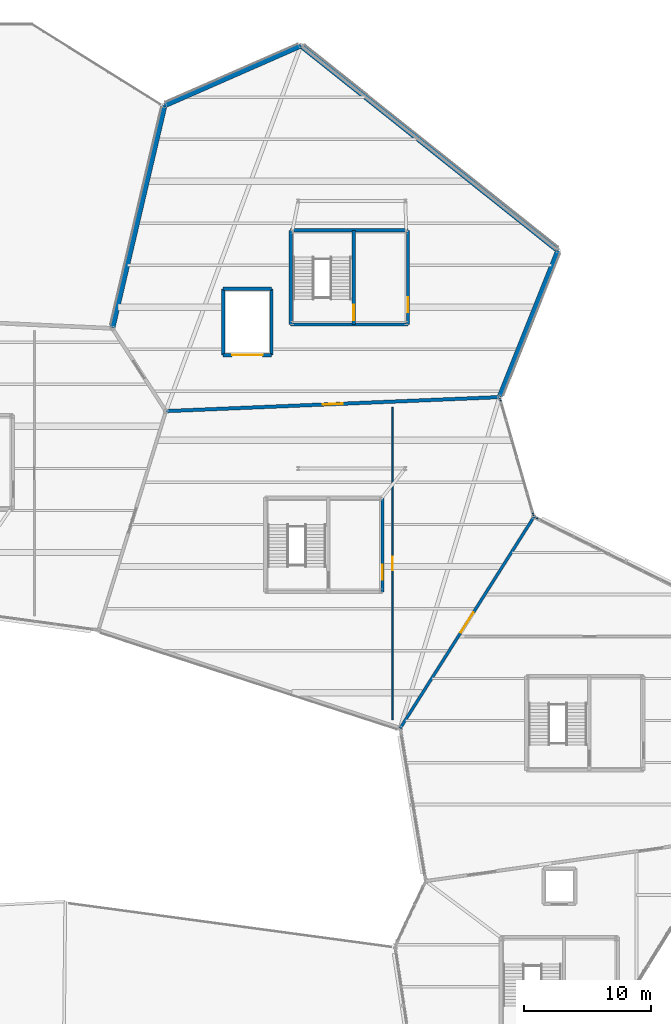
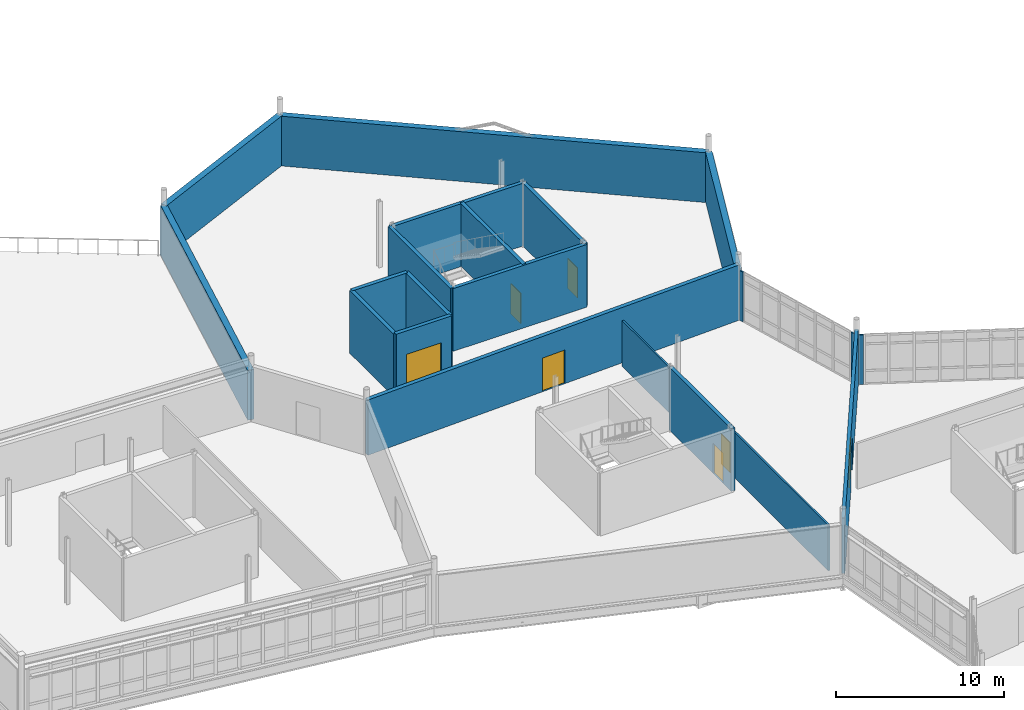
# One storey, part 94 of 114: 20 walls, 7 doors, 7 openings.
"""IFC4 building model written with IfcOpenShell, lengths in metres."""

from ifc_helpers import new_model, si_unit, direction, frame, frame_2d, origin, place, context, subcontext, project, spatial, rectangle, extrude, material, layer, layer_set, type_object, element, fill, save


model = new_model("IFC4")

# Units and contexts
model_context = context("Model", 3, precision=1e-05, world=origin(), true_north=direction((0.0, 1.0)))
body_context = subcontext(model_context, "Body", "Model", "MODEL_VIEW")
ifc_project = project(units=[si_unit("LENGTHUNIT", "METRE"), si_unit("AREAUNIT", "SQUARE_METRE"), si_unit("VOLUMEUNIT", "CUBIC_METRE"), si_unit("PLANEANGLEUNIT", "RADIAN"), si_unit("MASSUNIT", "GRAM", prefix="KILO")], contexts=[model_context])

# Site, building, storey
site_placement = place(None, origin())
site = spatial("IfcSite", under=ifc_project, at=site_placement, CompositionType="ELEMENT")
building_placement = place(site_placement, origin())
building = spatial("IfcBuilding", under=site, at=building_placement, Name="Tameran Prism Museum", CompositionType="ELEMENT")
storey_placement = place(building_placement, frame((0.0, 0.0, 10.199951171875)))
storey = spatial("IfcBuildingStorey", under=building, at=storey_placement, Name="L02", CompositionType="ELEMENT", Elevation=10.199951171875)

# Walls
ifc_material_1 = material(Name="Precast Concrete N50 (50 MPa)", Category="concrete")
ifc_layer_1 = layer(ifc_material_1, 0.39990234375)
ifc_layer_set_1 = layer_set([ifc_layer_1])
wall_type_1 = type_object("IfcWallType", Name="EW-ARC-400", PredefinedType="SOLIDWALL", material=ifc_layer_set_1)
wall_1_placement = place(storey_placement, frame((62.39990234375, 94.10009765625, 0.0), z_axis=(0.0, 0.0, 1.0), x_axis=(-0.371407751599, -0.928469860605, 0.0)))
element("IfcWall", 1, at=wall_1_placement, inside=storey, type_object=wall_type_1, Name="Exterior Fluted Precast Wall EW-0342", PredefinedType="SOLIDWALL", context=body_context, shape_type="SweptSolid", body=[
    extrude(rectangle(XDim=12.32568359375, YDim=0.39990234375, at=frame_2d((6.162841796875, 0.0))), origin(), (0.0, 0.0, 1.0), 3.6201171875),
])
wall_2_placement = place(storey_placement, frame((42.199951171875, 110.199951171875, 0.0), z_axis=(0.0, 0.0, 1.0), x_axis=(0.78200261515, -0.623275147827, 0.0)))
element("IfcWall", 2, at=wall_2_placement, inside=storey, type_object=wall_type_1, Name="Exterior Fluted Precast Wall EW-0343", PredefinedType="SOLIDWALL", context=body_context, shape_type="SweptSolid", body=[
    extrude(rectangle(XDim=25.8310546875, YDim=0.39990234375, at=frame_2d((12.91552734375, 0.0))), origin(), (0.0, 0.0, 1.0), 3.6201171875),
])
wall_3_placement = place(storey_placement, frame((31.5, 105.5, 0.0), z_axis=(0.0, 0.0, 1.0), x_axis=(0.915568057854, 0.40216306573, 0.0)))
element("IfcWall", 3, at=wall_3_placement, inside=storey, type_object=wall_type_1, Name="Exterior Fluted Precast Wall EW-0344", PredefinedType="SOLIDWALL", context=body_context, shape_type="SweptSolid", body=[
    extrude(rectangle(XDim=11.686767578125, YDim=0.39990234375, at=frame_2d((5.84326171875, 0.0))), origin(), (0.0, 0.0, 1.0), 3.6201171875),
])
wall_4_placement = place(storey_placement, frame((27.4140625, 88.05810546875, 0.0), z_axis=(0.0, 0.0, 1.0), x_axis=(0.228085145328, 0.973641189803, 0.0)))
element("IfcWall", 4, at=wall_4_placement, inside=storey, type_object=wall_type_1, Name="Exterior Fluted Precast Wall EW-0345", PredefinedType="SOLIDWALL", context=body_context, shape_type="SweptSolid", body=[
    extrude(rectangle(XDim=17.9140625, YDim=0.39990234375, at=frame_2d((8.95703125, 0.0))), origin(), (0.0, 0.0, 1.0), 3.6201171875),
])
ifc_material_2 = material(Name="Precast Concrete N40 (40 MPa)", Category="concrete")
ifc_layer_2 = layer(ifc_material_2, 0.094970703125)
ifc_layer_set_2 = layer_set([ifc_layer_2])
wall_type_2 = type_object("IfcWallType", Name="EW-CLOS-095", PredefinedType="SOLIDWALL", material=ifc_layer_set_2)
wall_5_placement = place(storey_placement, frame((60.592041015625, 73.154052734375, 0.0), z_axis=(0.0, 0.0, 1.0), x_axis=(0.895062210154, -0.445941296533, 0.0)))
element("IfcWall", 5, at=wall_5_placement, inside=storey, type_object=wall_type_2, Name="Facade Corner Closure EW-0312", PredefinedType="SOLIDWALL", context=body_context, shape_type="SweptSolid", body=[
    extrude(rectangle(XDim=0.30712890625, YDim=0.094970703125, at=frame_2d((0.153564453125, 0.0))), origin(), (0.0, 0.0, 1.0), 3.6201171875),
])
for number, where, z_axis, x_axis, name in (
    (6, (57.8291015625, 82.501953125, 0.0), (0.0, 0.0, 1.0), (0.275977786159, -0.961164013864, 0.0), "Facade Corner Closure EW-0339"),
    (7, (60.385986328125, 73.593994140625, 0.0), (0.0, 0.0, 1.0), (0.275977786159, -0.961164013864, 0.0), "Facade Corner Closure EW-0340"),
):
    element("IfcWall", number, at=place(storey_placement, frame(where, z_axis=z_axis, x_axis=x_axis)), inside=storey, type_object=wall_type_2, Name=name, PredefinedType="SOLIDWALL", context=body_context, shape_type="SweptSolid", body=[
        extrude(rectangle(XDim=0.307861328125, YDim=0.094970703125, at=frame_2d((0.15380859375, 0.0))), origin(), (0.0, 0.0, 1.0), 3.6201171875),
    ])

# Wall, opening, door
ifc_material_3 = material(Name="Concrete N40 (40 MPa)", Category="concrete")
ifc_layer_3 = layer(ifc_material_3, 0.22509765625)
ifc_layer_set_3 = layer_set([ifc_layer_3])
wall_type_3 = type_object("IfcWallType", Name="IW-CMP-225", PredefinedType="SOLIDWALL", material=ifc_layer_set_3)
wall_6_placement = place(storey_placement, frame((60.5, 73.199951171875, 0.0), z_axis=(0.0, 0.0, 1.0), x_axis=(-0.534570878454, -0.845123645338, 0.0)))
wall_6 = element("IfcWall", 8, at=wall_6_placement, inside=storey, type_object=wall_type_3, Name="Compartment Wall IW-0120", PredefinedType="SOLIDWALL", context=body_context, shape_type="SweptSolid", body=[
    extrude(rectangle(XDim=19.641845703125, YDim=0.22509765625, at=frame_2d((9.82080078125, 0.0))), origin(), (0.0, 0.0, 1.0), 4.02001953125),
])
opening_1_placement = place(wall_6_placement, frame((8.89599609375, 0.0, 0.0)))
opening_1 = element("IfcOpeningElement", 9, at=opening_1_placement, cuts=wall_6, Name="Opening ID-0119", PredefinedType="OPENING", context=body_context, shape_type="SweptSolid", body=[
    extrude(rectangle(XDim=1.85009765625, YDim=2.39990234375, at=frame_2d((0.925048828125, 1.199951171875))), frame((0.0, 0.12255859375, 0.0), z_axis=(0.0, -1.0, 0.0), x_axis=(1.0, 0.0, 0.0)), (0.0, 0.0, 1.0), 0.2451171875),
])
ifc_material_4 = material(Name="Fire-Rated Steel Door Leaf and Frame", Category="steel")
door_type_1 = type_object("IfcDoorType", Name="DR-GAL-185", OperationType="DOUBLE_DOOR_SINGLE_SWING", PredefinedType="DOOR", material=ifc_material_4)
door_1_placement = place(opening_1_placement, origin())
door_1 = element("IfcDoor", 10, at=door_1_placement, inside=storey, type_object=door_type_1, Name="Compartment Door ID-0119", OperationType="DOUBLE_DOOR_SINGLE_SWING", OverallHeight=2.39990234375, OverallWidth=1.85009765625, PredefinedType="DOOR", context=body_context, shape_type="SweptSolid", body=[
    extrude(rectangle(XDim=1.85009765625, YDim=2.39990234375, at=frame_2d((0.925048828125, 1.199951171875))), frame((0.0, 0.02490234375, 0.0), z_axis=(0.0, -1.0, 0.0), x_axis=(1.0, 0.0, 0.0)), (0.0, 0.0, 1.0), 0.050048828125),
])
fill(opening_1, door_1)

ifc_material_5 = material(Name="Concrete N40 (40 MPa)", Category="concrete")
ifc_layer_4 = layer(ifc_material_5, 0.27490234375)
ifc_layer_set_4 = layer_set([ifc_layer_4])
wall_type_4 = type_object("IfcWallType", Name="IW-CMP-275", PredefinedType="SOLIDWALL", material=ifc_layer_set_4)
wall_7_placement = place(storey_placement, frame((57.800048828125, 82.60009765625, 0.0), z_axis=(0.0, 0.0, 1.0), x_axis=(-0.999119645224, -0.041951573605, 0.0)))
wall_7 = element("IfcWall", 11, at=wall_7_placement, inside=storey, type_object=wall_type_4, Name="Compartment Wall IW-0124", PredefinedType="SOLIDWALL", context=body_context, shape_type="SweptSolid", body=[
    extrude(rectangle(XDim=26.22314453125, YDim=0.27490234375, at=frame_2d((13.111572265625, 0.0))), origin(), (0.0, 0.0, 1.0), 4.02001953125),
])
opening_2_placement = place(wall_7_placement, frame((12.31201171875, 0.0, 0.0)))
opening_2 = element("IfcOpeningElement", 12, at=opening_2_placement, cuts=wall_7, Name="Opening ID-0123", PredefinedType="OPENING", context=body_context, shape_type="SweptSolid", body=[
    extrude(rectangle(XDim=1.60009765625, YDim=2.449951171875, at=frame_2d((0.800048828125, 1.22509765625))), frame((0.0, 0.1474609375, 0.0), z_axis=(0.0, -1.0, 0.0), x_axis=(1.0, 0.0, 0.0)), (0.0, 0.0, 1.0), 0.294921875),
])
ifc_material_6 = material(Name="Fire-Rated Steel Door Leaf and Frame", Category="steel")
door_type_2 = type_object("IfcDoorType", Name="DR-FD-240", OperationType="DOUBLE_DOOR_SINGLE_SWING", PredefinedType="DOOR", material=ifc_material_6)
door_2_placement = place(opening_2_placement, origin())
door_2 = element("IfcDoor", 13, at=door_2_placement, inside=storey, type_object=door_type_2, Name="Compartment Door ID-0123", OperationType="DOUBLE_DOOR_SINGLE_SWING", OverallHeight=2.449951171875, OverallWidth=1.60009765625, PredefinedType="DOOR", context=body_context, shape_type="SweptSolid", body=[
    extrude(rectangle(XDim=1.60009765625, YDim=2.449951171875, at=frame_2d((0.800048828125, 1.22509765625))), frame((0.0, 0.02490234375, 0.0), z_axis=(0.0, -1.0, 0.0), x_axis=(1.0, 0.0, 0.0)), (0.0, 0.0, 1.0), 0.050048828125),
])
fill(opening_2, door_2)

ifc_material_7 = material(Name="Concrete N40 (40 MPa)", Category="concrete")
ifc_layer_5 = layer(ifc_material_7, 0.25)
ifc_layer_set_5 = layer_set([ifc_layer_5])
wall_type_5 = type_object("IfcWallType", Name="IW-COR-250", PredefinedType="SHEAR", material=ifc_layer_set_5)
wall_8_placement = place(storey_placement, frame((48.60009765625, 74.699951171875, 0.0), z_axis=(0.0, 0.0, 1.0), x_axis=(0.0, -1.0, 0.0)))
wall_8 = element("IfcWall", 14, at=wall_8_placement, inside=storey, type_object=wall_type_5, Name="Core Shear Wall CW-5-L02-E", PredefinedType="SHEAR", context=body_context, shape_type="SweptSolid", body=[
    extrude(rectangle(XDim=7.39990234375, YDim=0.25, at=frame_2d((3.699951171875, 0.0))), origin(), (0.0, 0.0, 1.0), 4.56005859375),
])
opening_3_placement = place(wall_8_placement, frame((5.25, 0.0, 0.0)))
opening_3 = element("IfcOpeningElement", 15, at=opening_3_placement, cuts=wall_8, Name="Opening FD-0249", PredefinedType="OPENING", context=body_context, shape_type="SweptSolid", body=[
    extrude(rectangle(XDim=1.199951171875, YDim=2.199951171875, at=frame_2d((0.60009765625, 1.10009765625))), frame((0.0, 0.135009765625, 0.0), z_axis=(0.0, -1.0, 0.0), x_axis=(1.0, 0.0, 0.0)), (0.0, 0.0, 1.0), 0.27001953125),
])
ifc_material_8 = material(Name="Fire-Rated Steel Door Leaf and Frame", Category="steel")
door_type_3 = type_object("IfcDoorType", Name="DR-FD-120A", OperationType="NOTDEFINED", PredefinedType="DOOR", material=ifc_material_8)
door_3_placement = place(opening_3_placement, origin())
door_3 = element("IfcDoor", 16, at=door_3_placement, inside=storey, type_object=door_type_3, Name="Core Fire Door FD-0249", OperationType="SINGLE_SWING_LEFT", OverallHeight=2.199951171875, OverallWidth=1.199951171875, PredefinedType="DOOR", context=body_context, shape_type="SweptSolid", body=[
    extrude(rectangle(XDim=1.199951171875, YDim=2.199951171875, at=frame_2d((0.60009765625, 1.10009765625))), frame((0.0, 0.02490234375, 0.0), z_axis=(0.0, -1.0, 0.0), x_axis=(1.0, 0.0, 0.0)), (0.0, 0.0, 1.0), 0.050048828125),
])
fill(opening_3, door_3)

# Walls
wall_9_placement = place(storey_placement, frame((41.39990234375, 88.300048828125, 0.0), z_axis=(0.0, 0.0, 1.0), x_axis=(0.0, 1.0, 0.0)))
element("IfcWall", 17, at=wall_9_placement, inside=storey, type_object=wall_type_5, Name="Core Shear Wall CW-14-L02-W", PredefinedType="SHEAR", context=body_context, shape_type="SweptSolid", body=[
    extrude(rectangle(XDim=7.39990234375, YDim=0.25, at=frame_2d((3.699951171875, 0.0))), origin(), (0.0, 0.0, 1.0), 4.56005859375),
])
for number, where, z_axis, x_axis, name in (
    (18, (41.39990234375, 95.699951171875, 0.0), (0.0, 0.0, 1.0), (1.0, 0.0, 0.0), "Core Shear Wall CW-14-L02-N"),
    (19, (50.60009765625, 88.300048828125, 0.0), (0.0, 0.0, 1.0), (-1.0, 0.0, 0.0), "Core Shear Wall CW-14-L02-S"),
):
    element("IfcWall", number, at=place(storey_placement, frame(where, z_axis=z_axis, x_axis=x_axis)), inside=storey, type_object=wall_type_5, Name=name, PredefinedType="SHEAR", context=body_context, shape_type="SweptSolid", body=[
        extrude(rectangle(XDim=9.2001953125, YDim=0.25, at=frame_2d((4.60009765625, 0.0))), origin(), (0.0, 0.0, 1.0), 4.56005859375),
    ])

# Wall, opening, door
wall_10_placement = place(storey_placement, frame((50.60009765625, 95.699951171875, 0.0), z_axis=(0.0, 0.0, 1.0), x_axis=(0.0, -1.0, 0.0)))
wall_10 = element("IfcWall", 20, at=wall_10_placement, inside=storey, type_object=wall_type_5, Name="Core Shear Wall CW-14-L02-E", PredefinedType="SHEAR", context=body_context, shape_type="SweptSolid", body=[
    extrude(rectangle(XDim=7.39990234375, YDim=0.25, at=frame_2d((3.699951171875, 0.0))), origin(), (0.0, 0.0, 1.0), 4.56005859375),
])
opening_4_placement = place(wall_10_placement, frame((5.25, 0.0, 0.0)))
opening_4 = element("IfcOpeningElement", 21, at=opening_4_placement, cuts=wall_10, Name="Opening FD-0293", PredefinedType="OPENING", context=body_context, shape_type="SweptSolid", body=[
    extrude(rectangle(XDim=1.199951171875, YDim=2.199951171875, at=frame_2d((0.60009765625, 1.10009765625))), frame((0.0, 0.135009765625, 0.0), z_axis=(0.0, -1.0, 0.0), x_axis=(1.0, 0.0, 0.0)), (0.0, 0.0, 1.0), 0.27001953125),
])
door_4_placement = place(opening_4_placement, origin())
door_4 = element("IfcDoor", 22, at=door_4_placement, inside=storey, type_object=door_type_3, Name="Core Fire Door FD-0293", OperationType="SINGLE_SWING_LEFT", OverallHeight=2.199951171875, OverallWidth=1.199951171875, PredefinedType="DOOR", context=body_context, shape_type="SweptSolid", body=[
    extrude(rectangle(XDim=1.199951171875, YDim=2.199951171875, at=frame_2d((0.60009765625, 1.10009765625))), frame((0.0, 0.02490234375, 0.0), z_axis=(0.0, -1.0, 0.0), x_axis=(1.0, 0.0, 0.0)), (0.0, 0.0, 1.0), 0.050048828125),
])
fill(opening_4, door_4)

wall_11_placement = place(storey_placement, frame((46.35009765625, 95.699951171875, 0.0), z_axis=(0.0, 0.0, 1.0), x_axis=(0.0, -1.0, 0.0)))
wall_11 = element("IfcWall", 23, at=wall_11_placement, inside=storey, type_object=wall_type_5, Name="Core Shear Wall CW-14-L02-M", PredefinedType="SHEAR", context=body_context, shape_type="SweptSolid", body=[
    extrude(rectangle(XDim=7.39990234375, YDim=0.25, at=frame_2d((3.699951171875, 0.0))), origin(), (0.0, 0.0, 1.0), 4.56005859375),
])
opening_5_placement = place(wall_11_placement, frame((5.85009765625, 0.0, 0.0)))
opening_5 = element("IfcOpeningElement", 24, at=opening_5_placement, cuts=wall_11, Name="Opening FD-0294", PredefinedType="OPENING", context=body_context, shape_type="SweptSolid", body=[
    extrude(rectangle(XDim=1.199951171875, YDim=2.199951171875, at=frame_2d((0.60009765625, 1.10009765625))), frame((0.0, 0.135009765625, 0.0), z_axis=(0.0, -1.0, 0.0), x_axis=(1.0, 0.0, 0.0)), (0.0, 0.0, 1.0), 0.27001953125),
])
door_5_placement = place(opening_5_placement, origin())
door_5 = element("IfcDoor", 25, at=door_5_placement, inside=storey, type_object=door_type_3, Name="Core Fire Door FD-0294", OperationType="SINGLE_SWING_RIGHT", OverallHeight=2.199951171875, OverallWidth=1.199951171875, PredefinedType="DOOR", context=body_context, shape_type="SweptSolid", body=[
    extrude(rectangle(XDim=1.199951171875, YDim=2.199951171875, at=frame_2d((0.60009765625, 1.10009765625))), frame((0.0, 0.02490234375, 0.0), z_axis=(0.0, -1.0, 0.0), x_axis=(1.0, 0.0, 0.0)), (0.0, 0.0, 1.0), 0.050048828125),
])
fill(opening_5, door_5)

ifc_material_9 = material(Name="Office Insulated Stud Partition")
ifc_layer_6 = layer(ifc_material_9, 0.1201171875)
ifc_layer_set_6 = layer_set([ifc_layer_6])
wall_type_6 = type_object("IfcWallType", Name="IW-PRT-120", PredefinedType="PARTITIONING", material=ifc_layer_set_6)
wall_12_placement = place(storey_placement, frame((49.403076171875, 57.26708984375, 0.0), z_axis=(0.0, 0.0, 1.0), x_axis=(0.0, 1.0, 0.0)))
wall_12 = element("IfcWall", 26, at=wall_12_placement, inside=storey, type_object=wall_type_6, Name="Internal Partition PT-0134", PredefinedType="PARTITIONING", context=body_context, shape_type="SweptSolid", body=[
    extrude(rectangle(XDim=24.530029296875, YDim=0.1201171875, at=frame_2d((12.26513671875, 0.0))), origin(), (0.0, 0.0, 1.0), 3.320068359375),
])
opening_6_placement = place(wall_12_placement, frame((11.739990234375, 0.0, 0.0)))
opening_6 = element("IfcOpeningElement", 27, at=opening_6_placement, cuts=wall_12, Name="Opening ID-0133", PredefinedType="OPENING", context=body_context, shape_type="SweptSolid", body=[
    extrude(rectangle(XDim=1.050048828125, YDim=2.199951171875, at=frame_2d((0.52490234375, 1.10009765625))), frame((0.0, 0.070068359375, 0.0), z_axis=(0.0, -1.0, 0.0), x_axis=(1.0, 0.0, 0.0)), (0.0, 0.0, 1.0), 0.14013671875),
])
ifc_material_10 = material(Name="Fire-Rated Steel Door Leaf and Frame", Category="steel")
door_type_4 = type_object("IfcDoorType", Name="DR-INT-105", OperationType="NOTDEFINED", PredefinedType="DOOR", material=ifc_material_10)
door_6_placement = place(opening_6_placement, origin())
door_6 = element("IfcDoor", 28, at=door_6_placement, inside=storey, type_object=door_type_4, Name="Interior Room Door ID-0133", OperationType="SINGLE_SWING_RIGHT", OverallHeight=2.199951171875, OverallWidth=1.050048828125, PredefinedType="DOOR", context=body_context, shape_type="SweptSolid", body=[
    extrude(rectangle(XDim=1.050048828125, YDim=2.199951171875, at=frame_2d((0.52490234375, 1.10009765625))), frame((0.0, 0.02490234375, 0.0), z_axis=(0.0, -1.0, 0.0), x_axis=(1.0, 0.0, 0.0)), (0.0, 0.0, 1.0), 0.050048828125),
])
fill(opening_6, door_6)

# Walls
ifc_material_11 = material(Name="Concrete N50 (50 MPa)", Category="concrete")
ifc_layer_7 = layer(ifc_material_11, 0.260009765625)
ifc_layer_set_7 = layer_set([ifc_layer_7])
wall_type_7 = type_object("IfcWallType", Name="IW-SHF-260", PredefinedType="SHEAR", material=ifc_layer_set_7)
wall_13_placement = place(storey_placement, frame((36.10009765625, 91.10009765625, 0.0), z_axis=(0.0, 0.0, 1.0), x_axis=(1.0, 0.0, 0.0)))
element("IfcWall", 29, at=wall_13_placement, inside=storey, type_object=wall_type_7, Name="Lift Shaft Wall LW-GL01-L02N", PredefinedType="SHEAR", context=body_context, shape_type="SweptSolid", body=[
    extrude(rectangle(XDim=3.7998046875, YDim=0.260009765625, at=frame_2d((1.89990234375, 0.0))), origin(), (0.0, 0.0, 1.0), 4.56005859375),
])
for number, where, z_axis, x_axis, name in (
    (30, (39.89990234375, 91.10009765625, 0.0), (0.0, 0.0, 1.0), (0.0, -1.0, 0.0), "Lift Shaft Wall LW-GL01-L02E"),
    (31, (36.10009765625, 85.89990234375, 0.0), (0.0, 0.0, 1.0), (0.0, 1.0, 0.0), "Lift Shaft Wall LW-GL01-L02W"),
):
    element("IfcWall", number, at=place(storey_placement, frame(where, z_axis=z_axis, x_axis=x_axis)), inside=storey, type_object=wall_type_7, Name=name, PredefinedType="SHEAR", context=body_context, shape_type="SweptSolid", body=[
        extrude(rectangle(XDim=5.2001953125, YDim=0.260009765625, at=frame_2d((2.60009765625, 0.0))), origin(), (0.0, 0.0, 1.0), 4.56005859375),
    ])

# Wall, opening, door
wall_14_placement = place(storey_placement, frame((39.89990234375, 85.89990234375, 0.0), z_axis=(0.0, 0.0, 1.0), x_axis=(-1.0, 0.0, 0.0)))
wall_14 = element("IfcWall", 32, at=wall_14_placement, inside=storey, type_object=wall_type_7, Name="Lift Shaft Wall LW-GL01-L02S", PredefinedType="SHEAR", context=body_context, shape_type="SweptSolid", body=[
    extrude(rectangle(XDim=3.7998046875, YDim=0.260009765625, at=frame_2d((1.89990234375, 0.0))), origin(), (0.0, 0.0, 1.0), 4.56005859375),
])
opening_7_placement = place(wall_14_placement, frame((0.699951171875, 0.0, 0.0)))
opening_7 = element("IfcOpeningElement", 33, at=opening_7_placement, cuts=wall_14, Name="Opening LD-GL01-L02", PredefinedType="OPENING", context=body_context, shape_type="SweptSolid", body=[
    extrude(rectangle(XDim=2.39990234375, YDim=2.85009765625, at=frame_2d((1.199951171875, 1.425048828125))), frame((0.0, 0.139892578125, 0.0), z_axis=(0.0, -1.0, 0.0), x_axis=(1.0, 0.0, 0.0)), (0.0, 0.0, 1.0), 0.280029296875),
])
ifc_material_12 = material(Name="Fire-Rated Steel Door Leaf and Frame", Category="steel")
door_type_5 = type_object("IfcDoorType", Name="DR-LD-GL", OperationType="SLIDING_TO_LEFT", PredefinedType="DOOR", material=ifc_material_12)
door_7_placement = place(opening_7_placement, origin())
door_7 = element("IfcDoor", 34, at=door_7_placement, inside=storey, type_object=door_type_5, Name="Goods Lift GL-01 Landing Door L02", OperationType="SLIDING_TO_LEFT", OverallHeight=2.85009765625, OverallWidth=2.39990234375, PredefinedType="DOOR", context=body_context, shape_type="SweptSolid", body=[
    extrude(rectangle(XDim=2.39990234375, YDim=2.85009765625, at=frame_2d((1.199951171875, 1.425048828125))), frame((0.0, 0.02490234375, 0.0), z_axis=(0.0, -1.0, 0.0), x_axis=(1.0, 0.0, 0.0)), (0.0, 0.0, 1.0), 0.050048828125),
])
fill(opening_7, door_7)

save(model, "model.ifc")
